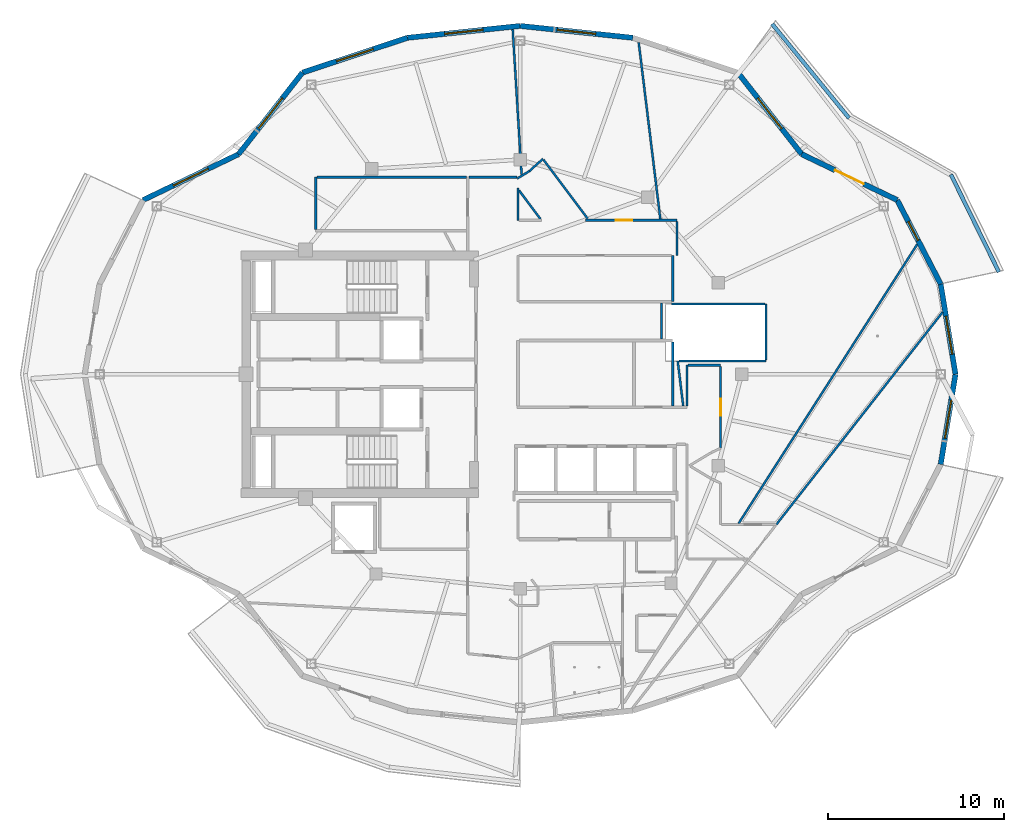
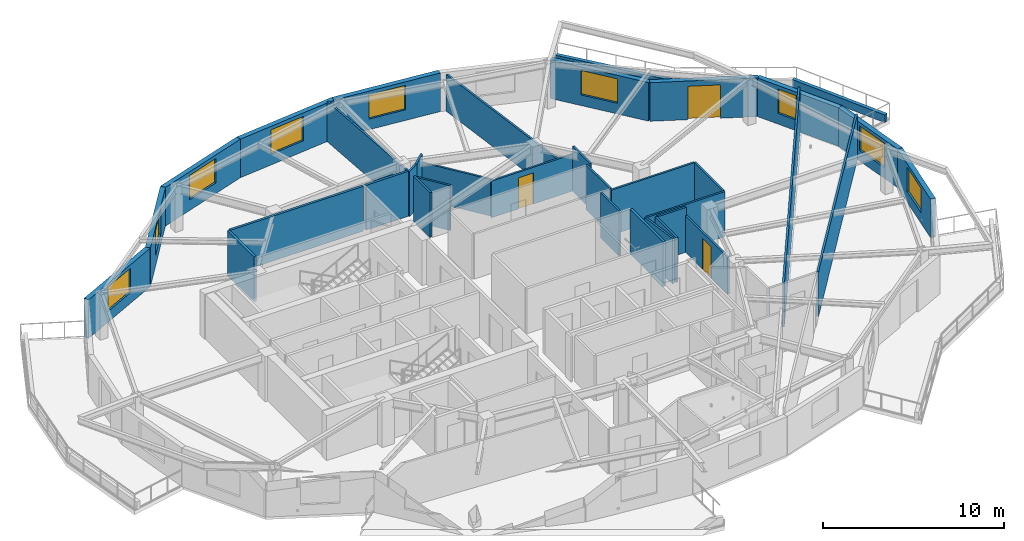
# One storey, part 6 of 14: 36 walls, 9 windows, 3 doors, 12 openings.
"""IFC4 building model written with IfcOpenShell, lengths in metres."""

from ifc_helpers import new_model, si_unit, direction, frame, frame_2d, origin, place, context, subcontext, project, spatial, rectangle, extrude, material, layer, layer_set, type_object, element, fill, save


model = new_model("IFC4")

# Units and contexts
model_context = context("Model", 3, precision=1e-05, world=origin(), true_north=direction((0.0, 1.0)))
body_context = subcontext(model_context, "Body", "Model", "MODEL_VIEW")
ifc_project = project(units=[si_unit("LENGTHUNIT", "METRE"), si_unit("AREAUNIT", "SQUARE_METRE"), si_unit("VOLUMEUNIT", "CUBIC_METRE"), si_unit("PLANEANGLEUNIT", "RADIAN"), si_unit("MASSUNIT", "GRAM", prefix="KILO")], contexts=[model_context])

# Site, building, storey
site_placement = place(None, origin())
site = spatial("IfcSite", under=ifc_project, at=site_placement, CompositionType="ELEMENT")
building_placement = place(site_placement, origin())
building = spatial("IfcBuilding", under=site, at=building_placement, Name="Kolvaren Gate Tower and Convention Centre", CompositionType="ELEMENT")
storey_placement = place(building_placement, frame((0.0, 0.0, 209.60009765625)))
storey = spatial("IfcBuildingStorey", under=building, at=storey_placement, Name="L55", CompositionType="ELEMENT", Elevation=209.60009765625)

# Walls
ifc_material_1 = material(Name="Fire-Rated Acoustic Gypsum Stud Partition", Category="gypsum")
ifc_layer_1 = layer(ifc_material_1, 0.1201171875)
ifc_layer_set_1 = layer_set([ifc_layer_1], Name="Fire-Rated Acoustic Gypsum Stud Partition")
wall_type_1 = type_object("IfcWallType", Name="ARCH-WL-PART-120", PredefinedType="PARTITIONING", material=ifc_layer_set_1)
wall_1_placement = place(storey_placement, frame((30.0, 35.75, 0.0), z_axis=(0.0, 0.0, 1.0), x_axis=(0.0, 1.0, 0.0)))
element("IfcWall", 1, at=wall_1_placement, inside=storey, type_object=wall_type_1, Name="Interior Partition WL-L55-INT-017", PredefinedType="PARTITIONING", context=body_context, shape_type="SweptSolid", body=[
    extrude(rectangle(XDim=1.8369140625, YDim=0.1201171875, at=frame_2d((0.91845703125, 0.0))), origin(), (0.0, 0.0, 1.0), 3.02978515625),
])
wall_2_placement = place(storey_placement, frame((38.800048828125, 31.1201171875, 0.0), z_axis=(0.0, 0.0, 1.0), x_axis=(0.0, 1.0, 0.0)))
element("IfcWall", 2, at=wall_2_placement, inside=storey, type_object=wall_type_1, Name="Interior Partition WL-L55-INT-022", PredefinedType="PARTITIONING", context=body_context, shape_type="SweptSolid", body=[
    extrude(rectangle(XDim=2.6298828125, YDim=0.1201171875, at=frame_2d((1.31494140625, 0.0))), origin(), (0.0, 0.0, 1.0), 3.02978515625),
])
wall_3_placement = place(storey_placement, frame((29.9599609375, 38.123046875, 0.0), z_axis=(0.0, 0.0, 1.0), x_axis=(0.852506956574, 0.522715877885, 0.0)))
element("IfcWall", 3, at=wall_3_placement, inside=storey, type_object=wall_type_1, Name="Interior Partition WL-L55-INT-031", PredefinedType="PARTITIONING", context=body_context, shape_type="SweptSolid", body=[
    extrude(rectangle(XDim=0.81884765625, YDim=0.1201171875, at=frame_2d((0.409423828125, 0.0))), origin(), (0.0, 0.0, 1.0), 3.02978515625),
])
wall_4_placement = place(storey_placement, frame((30.657958984375, 38.551025390625, 0.0), z_axis=(0.0, 0.0, 1.0), x_axis=(0.74084279818, 0.671678456097, 0.0)))
element("IfcWall", 4, at=wall_4_placement, inside=storey, type_object=wall_type_1, Name="Interior Partition WL-L55-INT-032", PredefinedType="PARTITIONING", context=body_context, shape_type="SweptSolid", body=[
    extrude(rectangle(XDim=1.027099609375, YDim=0.1201171875, at=frame_2d((0.513671875, 0.0))), origin(), (0.0, 0.0, 1.0), 3.02978515625),
])
wall_5_placement = place(storey_placement, frame((31.456298828125, 39.191162109375, 0.0), z_axis=(0.0, 0.0, 1.0), x_axis=(0.600056078533, -0.799957938029, 0.0)))
element("IfcWall", 5, at=wall_5_placement, inside=storey, type_object=wall_type_1, Name="Interior Partition WL-L55-INT-033", PredefinedType="PARTITIONING", context=body_context, shape_type="SweptSolid", body=[
    extrude(rectangle(XDim=4.17919921875, YDim=0.1201171875, at=frame_2d((2.089599609375, 0.0))), origin(), (0.0, 0.0, 1.0), 2.477783203125),
])

# Wall, opening, door
wall_6_placement = place(storey_placement, frame((33.8330078125, 35.75, 0.0), z_axis=(0.0, 0.0, 1.0), x_axis=(1.0, 0.0, 0.0)))
wall_6 = element("IfcWall", 6, at=wall_6_placement, inside=storey, type_object=wall_type_1, Name="Interior Partition WL-L55-INT-035", PredefinedType="PARTITIONING", context=body_context, shape_type="SweptSolid", body=[
    extrude(rectangle(XDim=5.217041015625, YDim=0.1201171875, at=frame_2d((2.6083984375, 0.0))), origin(), (0.0, 0.0, 1.0), 2.477783203125),
])
opening_1_placement = place(wall_6_placement, frame((1.726318359375, 0.0, 0.0)))
opening_1 = element("IfcOpeningElement", 7, at=opening_1_placement, cuts=wall_6, Name="Opening DR-01", PredefinedType="OPENING", context=body_context, shape_type="SweptSolid", body=[
    extrude(rectangle(XDim=0.949951171875, YDim=2.10009765625, at=frame_2d((0.47509765625, 1.050048828125))), frame((0.0, 0.070068359375, 0.0), z_axis=(0.0, -1.0, 0.0), x_axis=(1.0, 0.0, 0.0)), (0.0, 0.0, 1.0), 0.14013671875),
])
ifc_material_2 = material(Name="Painted Architectural Steelwork ASTM A500 Grade C 345 MPa", Category="steel")
door_type_1 = type_object("IfcDoorType", Name="ARCH-DR-RISER-950", OperationType="SINGLE_SWING_RIGHT", PredefinedType="DOOR", material=ifc_material_2)
door_1_placement = place(opening_1_placement, origin())
door_1 = element("IfcDoor", 8, at=door_1_placement, inside=storey, type_object=door_type_1, Name="Resident Quiet Study Office Door", OperationType="SINGLE_SWING_RIGHT", OverallHeight=2.10009765625, OverallWidth=0.949951171875, PredefinedType="DOOR", context=body_context, shape_type="SweptSolid", body=[
    extrude(rectangle(XDim=0.949951171875, YDim=2.10009765625, at=frame_2d((0.47509765625, 1.050048828125))), frame((0.0, 0.02490234375, 0.0), z_axis=(0.0, -1.0, 0.0), x_axis=(1.0, 0.0, 0.0)), (0.0, 0.0, 1.0), 0.050048828125),
])
fill(opening_1, door_1)

# Walls
wall_7_placement = place(storey_placement, frame((39.050048828125, 33.75, 0.0), z_axis=(0.0, 0.0, 1.0), x_axis=(0.0, 1.0, 0.0)))
element("IfcWall", 9, at=wall_7_placement, inside=storey, type_object=wall_type_1, Name="Interior Partition WL-L55-INT-037", PredefinedType="PARTITIONING", context=body_context, shape_type="SweptSolid", body=[
    extrude(rectangle(XDim=1.93798828125, YDim=0.1201171875, at=frame_2d((0.968994140625, 0.0))), origin(), (0.0, 0.0, 1.0), 3.02978515625),
])
wall_8_placement = place(storey_placement, frame((38.159912109375, 28.9970703125, 0.0), z_axis=(0.0, 0.0, 1.0), x_axis=(0.0, 1.0, 0.0)))
element("IfcWall", 10, at=wall_8_placement, inside=storey, type_object=wall_type_1, Name="Interior Partition WL-L55-INT-038", PredefinedType="PARTITIONING", context=body_context, shape_type="SweptSolid", body=[
    extrude(rectangle(XDim=2.06103515625, YDim=0.1201171875, at=frame_2d((1.030517578125, 0.0))), origin(), (0.0, 0.0, 1.0), 3.02978515625),
])
wall_9_placement = place(storey_placement, frame((39.60009765625, 25.197021484375, 0.0), z_axis=(0.0, 0.0, 1.0), x_axis=(0.0, 1.0, 0.0)))
element("IfcWall", 11, at=wall_9_placement, inside=storey, type_object=wall_type_1, Name="Interior Partition WL-L55-INT-040", PredefinedType="PARTITIONING", context=body_context, shape_type="SweptSolid", body=[
    extrude(rectangle(XDim=2.31298828125, YDim=0.1201171875, at=frame_2d((1.156494140625, 0.0))), origin(), (0.0, 0.0, 1.0), 3.02978515625),
])
wall_10_placement = place(storey_placement, frame((39.662109375, 27.510009765625, 0.0), z_axis=(0.0, 0.0, 1.0), x_axis=(1.0, 0.0, 0.0)))
element("IfcWall", 12, at=wall_10_placement, inside=storey, type_object=wall_type_1, Name="Interior Partition WL-L55-INT-041", PredefinedType="PARTITIONING", context=body_context, shape_type="SweptSolid", body=[
    extrude(rectangle(XDim=1.85791015625, YDim=0.1201171875, at=frame_2d((0.928955078125, 0.0))), origin(), (0.0, 0.0, 1.0), 3.02978515625),
])

# Wall, opening, door
wall_11_placement = place(storey_placement, frame((41.52001953125, 22.7939453125, 0.0), z_axis=(0.0, 0.0, 1.0), x_axis=(0.0, 1.0, 0.0)))
wall_11 = element("IfcWall", 13, at=wall_11_placement, inside=storey, type_object=wall_type_1, Name="Interior Partition WL-L55-INT-043", PredefinedType="PARTITIONING", context=body_context, shape_type="SweptSolid", body=[
    extrude(rectangle(XDim=4.654052734375, YDim=0.1201171875, at=frame_2d((2.3271484375, 0.0))), origin(), (0.0, 0.0, 1.0), 2.477783203125),
])
opening_2_placement = place(wall_11_placement, frame((1.85205078125, 0.0, 0.0)))
opening_2 = element("IfcOpeningElement", 14, at=opening_2_placement, cuts=wall_11, Name="Opening DR-01", PredefinedType="OPENING", context=body_context, shape_type="SweptSolid", body=[
    extrude(rectangle(XDim=0.949951171875, YDim=2.10009765625, at=frame_2d((0.47509765625, 1.050048828125))), frame((0.0, 0.070068359375, 0.0), z_axis=(0.0, -1.0, 0.0), x_axis=(1.0, 0.0, 0.0)), (0.0, 0.0, 1.0), 0.14013671875),
])
door_2_placement = place(opening_2_placement, origin())
door_2 = element("IfcDoor", 15, at=door_2_placement, inside=storey, type_object=door_type_1, Name="Resident Private Study and Home Office Door", OperationType="SINGLE_SWING_LEFT", OverallHeight=2.10009765625, OverallWidth=0.949951171875, PredefinedType="DOOR", context=body_context, shape_type="SweptSolid", body=[
    extrude(rectangle(XDim=0.949951171875, YDim=2.10009765625, at=frame_2d((0.47509765625, 1.050048828125))), frame((0.0, 0.02490234375, 0.0), z_axis=(0.0, -1.0, 0.0), x_axis=(1.0, 0.0, 0.0)), (0.0, 0.0, 1.0), 0.050048828125),
])
fill(opening_2, door_2)

# Walls
wall_12_placement = place(storey_placement, frame((44.68701171875, 18.453857421875, 0.0), z_axis=(0.0, 0.0, 1.0), x_axis=(0.616533198311, 0.787328911815, 0.0)))
element("IfcWall", 16, at=wall_12_placement, inside=storey, type_object=wall_type_1, Name="Interior Partition WL-L55-INT-049 (2)", PredefinedType="PARTITIONING", context=body_context, shape_type="SweptSolid", body=[
    extrude(rectangle(XDim=15.33349609375, YDim=0.1201171875, at=frame_2d((7.666748046875, 0.0))), origin(), (0.0, 0.0, 1.0), 3.02978515625),
])
wall_13_placement = place(storey_placement, frame((30.06201171875, 37.450927734375, 0.0), z_axis=(0.0, 0.0, 1.0), x_axis=(0.599790195836, -0.800157310145, 0.0)))
element("IfcWall", 17, at=wall_13_placement, inside=storey, type_object=wall_type_1, Name="Interior Partition WL-L55-INT-058", PredefinedType="PARTITIONING", context=body_context, shape_type="SweptSolid", body=[
    extrude(rectangle(XDim=2.04833984375, YDim=0.1201171875, at=frame_2d((1.024169921875, 0.0))), origin(), (0.0, 0.0, 1.0), 3.02978515625),
])
wall_14_placement = place(storey_placement, frame((29.702392578125, 46.6025390625, 0.0), z_axis=(0.0, 0.0, 1.0), x_axis=(0.06113767321, -0.998129342778, 0.0)))
element("IfcWall", 18, at=wall_14_placement, inside=storey, type_object=wall_type_1, Name="Interior Partition WL-L55-INT-064", PredefinedType="PARTITIONING", context=body_context, shape_type="SweptSolid", body=[
    extrude(rectangle(XDim=8.27001953125, YDim=0.1201171875, at=frame_2d((4.135009765625, 0.0))), origin(), (0.0, 0.0, 1.0), 2.7119140625),
])
wall_15_placement = place(storey_placement, frame((42.54248046875, 18.511962890625, 0.0), z_axis=(0.0, 0.0, 1.0), x_axis=(0.538988222434, 0.842313300428, 0.0)))
element("IfcWall", 19, at=wall_15_placement, inside=storey, type_object=wall_type_1, Name="Interior Partition WL-L55-INT-071", PredefinedType="PARTITIONING", context=body_context, shape_type="SweptSolid", body=[
    extrude(rectangle(XDim=18.8349609375, YDim=0.1201171875, at=frame_2d((9.41748046875, 0.0))), origin(), (0.0, 0.0, 1.0), 3.02978515625),
])
wall_16_placement = place(storey_placement, frame((36.866455078125, 45.85400390625, 0.0), z_axis=(0.0, 0.0, 1.0), x_axis=(0.12152760456, -0.99258805218, 0.0)))
element("IfcWall", 20, at=wall_16_placement, inside=storey, type_object=wall_type_1, Name="Interior Partition WL-L55-INT-074", PredefinedType="PARTITIONING", context=body_context, shape_type="SweptSolid", body=[
    extrude(rectangle(XDim=10.116943359375, YDim=0.1201171875, at=frame_2d((5.05859375, 0.0))), origin(), (0.0, 0.0, 1.0), 2.477783203125),
])
wall_17_placement = place(storey_placement, frame((39.0830078125, 27.75, 0.0), z_axis=(0.0, 0.0, 1.0), x_axis=(0.121499202199, -0.992591529213, 0.0)))
element("IfcWall", 21, at=wall_17_placement, inside=storey, type_object=wall_type_1, Name="Interior Partition WL-L55-INT-075", PredefinedType="PARTITIONING", context=body_context, shape_type="SweptSolid", body=[
    extrude(rectangle(XDim=2.572021484375, YDim=0.1201171875, at=frame_2d((1.2861328125, 0.0))), origin(), (0.0, 0.0, 1.0), 3.02978515625),
])
wall_18_placement = place(storey_placement, frame((39.1455078125, 27.75, 0.0), z_axis=(0.0, 0.0, 1.0), x_axis=(1.0, 0.0, 0.0)))
element("IfcWall", 22, at=wall_18_placement, inside=storey, type_object=wall_type_1, Name="Interior Partition WL-L55-INT-076", PredefinedType="PARTITIONING", context=body_context, shape_type="SweptSolid", body=[
    extrude(rectangle(XDim=4.95458984375, YDim=0.1201171875, at=frame_2d((2.477294921875, 0.0))), origin(), (0.0, 0.0, 1.0), 3.02978515625),
])
wall_19_placement = place(storey_placement, frame((44.10009765625, 27.81201171875, 0.0), z_axis=(0.0, 0.0, 1.0), x_axis=(0.0, 1.0, 0.0)))
element("IfcWall", 23, at=wall_19_placement, inside=storey, type_object=wall_type_1, Name="Interior Partition WL-L55-INT-077", PredefinedType="PARTITIONING", context=body_context, shape_type="SweptSolid", body=[
    extrude(rectangle(XDim=3.18798828125, YDim=0.1201171875, at=frame_2d((1.593994140625, 0.0))), origin(), (0.0, 0.0, 1.0), 3.02978515625),
])
wall_20_placement = place(storey_placement, frame((38.738037109375, 31.0, 0.0), z_axis=(0.0, 0.0, 1.0), x_axis=(1.0, 0.0, 0.0)))
element("IfcWall", 24, at=wall_20_placement, inside=storey, type_object=wall_type_1, Name="Interior Partition WL-L55-INT-078", PredefinedType="PARTITIONING", context=body_context, shape_type="SweptSolid", body=[
    extrude(rectangle(XDim=5.300048828125, YDim=0.1201171875, at=frame_2d((2.64990234375, 0.0))), origin(), (0.0, 0.0, 1.0), 3.02978515625),
])
ifc_material_3 = material(Name="Piedmont Cream Honed Limestone Cladding", Category="masonry")
ifc_layer_2 = layer(ifc_material_3, 0.219970703125)
ifc_layer_set_2 = layer_set([ifc_layer_2], Name="Piedmont Cream Honed Limestone Cladding")
wall_type_2 = type_object("IfcWallType", Name="ARCH-WL-PLANTER-220", PredefinedType="PARAPET", material=ifc_layer_set_2)
wall_21_placement = place(storey_placement, frame((54.615966796875, 38.3466796875, 0.0), z_axis=(0.0, 0.0, 1.0), x_axis=(0.441640961804, -0.897191875162, 0.0)))
element("IfcWall", 25, at=wall_21_placement, inside=storey, type_object=wall_type_2, Name="Vertical-Forest Balcony Stone Planter Kerb PK-L55-1.1", PredefinedType="PARAPET", context=body_context, shape_type="SweptSolid", body=[
    extrude(rectangle(XDim=6.17822265625, YDim=0.219970703125, at=frame_2d((3.089111328125, 0.0))), origin(), (0.0, 0.0, 1.0), 0.52001953125),
])
wall_22_placement = place(storey_placement, frame((44.4482421875, 46.912841796875, 0.0), z_axis=(0.0, 0.0, 1.0), x_axis=(0.632697312147, -0.774399193699, 0.0)))
element("IfcWall", 26, at=wall_22_placement, inside=storey, type_object=wall_type_2, Name="Vertical-Forest Balcony Stone Planter Kerb PK-L55-1.3", PredefinedType="PARAPET", context=body_context, shape_type="SweptSolid", body=[
    extrude(rectangle(XDim=6.9140625, YDim=0.219970703125, at=frame_2d((3.45703125, 0.0))), origin(), (0.0, 0.0, 1.0), 0.52001953125),
])

# Wall, opening, window
ifc_layer_3 = layer(ifc_material_3, 0.300048828125)
ifc_layer_set_3 = layer_set([ifc_layer_3], Name="Piedmont Cream Honed Limestone Cladding")
wall_type_3 = type_object("IfcWallType", Name="ARCH-WL-STONE-300", PredefinedType="SOLIDWALL", material=ifc_layer_set_3)
wall_23_placement = place(storey_placement, frame((54.03173828125, 32.12451171875, 0.0), z_axis=(0.0, 0.0, 1.0), x_axis=(0.16237087798, -0.986729799886, 0.0)))
wall_23 = element("IfcWall", 27, at=wall_23_placement, inside=storey, type_object=wall_type_3, Name="Tower L55 Honed Stone Spandrel Wall EW-00", PredefinedType="SOLIDWALL", context=body_context, shape_type="SweptSolid", body=[
    extrude(rectangle(XDim=5.193359375, YDim=0.300048828125, at=frame_2d((2.5966796875, 0.0))), origin(), (0.0, 0.0, 1.0), 2.60498046875),
])
opening_3_placement = place(wall_23_placement, frame((1.85009765625, 0.0, 0.719970703125)))
opening_3 = element("IfcOpeningElement", 28, at=opening_3_placement, cuts=wall_23, Name="Opening W-03", PredefinedType="OPENING", context=body_context, shape_type="SweptSolid", body=[
    extrude(rectangle(XDim=2.199951171875, YDim=1.64990234375, at=frame_2d((1.10009765625, 0.824951171875))), frame((0.0, 0.159912109375, 0.0), z_axis=(0.0, -1.0, 0.0), x_axis=(1.0, 0.0, 0.0)), (0.0, 0.0, 1.0), 0.320068359375),
])
ifc_material_4 = material(Name="Low-E Triple Insulated Glazing Unit 44 mm", Category="glass")
window_type_1 = type_object("IfcWindowType", Name="ARCH-WN-RES-2200", PartitioningType="SINGLE_PANEL", PredefinedType="WINDOW", material=ifc_material_4)
window_1_placement = place(opening_3_placement, origin())
window_1 = element("IfcWindow", 29, at=window_1_placement, inside=storey, type_object=window_type_1, Name="Tower L55 Punched Stone Facade Window W-00", OverallHeight=1.64990234375, OverallWidth=2.199951171875, PartitioningType="SINGLE_PANEL", PredefinedType="WINDOW", context=body_context, shape_type="SweptSolid", body=[
    extrude(rectangle(XDim=2.199951171875, YDim=1.64990234375, at=frame_2d((1.10009765625, 0.824951171875))), frame((0.0, 0.030029296875, 0.0), z_axis=(0.0, -1.0, 0.0), x_axis=(1.0, 0.0, 0.0)), (0.0, 0.0, 1.0), 0.06005859375),
])
fill(opening_3, window_1)

wall_24_placement = place(storey_placement, frame((51.55908203125, 36.89990234375, 0.0), z_axis=(0.0, 0.0, 1.0), x_axis=(0.459808219482, -0.888018243786, 0.0)))
wall_24 = element("IfcWall", 30, at=wall_24_placement, inside=storey, type_object=wall_type_3, Name="Tower L55 Honed Stone Spandrel Wall EW-01", PredefinedType="SOLIDWALL", context=body_context, shape_type="SweptSolid", body=[
    extrude(rectangle(XDim=5.377685546875, YDim=0.300048828125, at=frame_2d((2.68896484375, 0.0))), origin(), (0.0, 0.0, 1.0), 2.60498046875),
])
opening_4_placement = place(wall_24_placement, frame((1.3798828125, 0.0, 0.719970703125)))
opening_4 = element("IfcOpeningElement", 31, at=opening_4_placement, cuts=wall_24, Name="Opening W-04", PredefinedType="OPENING", context=body_context, shape_type="SweptSolid", body=[
    extrude(rectangle(XDim=1.199951171875, YDim=1.64990234375, at=frame_2d((0.60009765625, 0.824951171875))), frame((0.0, 0.159912109375, 0.0), z_axis=(0.0, -1.0, 0.0), x_axis=(1.0, 0.0, 0.0)), (0.0, 0.0, 1.0), 0.320068359375),
])
window_type_2 = type_object("IfcWindowType", Name="ARCH-WN-NARROW-1200", PartitioningType="SINGLE_PANEL", PredefinedType="WINDOW", material=ifc_material_4)
window_2_placement = place(opening_4_placement, origin())
window_2 = element("IfcWindow", 32, at=window_2_placement, inside=storey, type_object=window_type_2, Name="Tower L55 Punched Stone Facade Window W-01", OverallHeight=1.64990234375, OverallWidth=1.199951171875, PartitioningType="SINGLE_PANEL", PredefinedType="WINDOW", context=body_context, shape_type="SweptSolid", body=[
    extrude(rectangle(XDim=1.199951171875, YDim=1.64990234375, at=frame_2d((0.60009765625, 0.824951171875))), frame((0.0, 0.030029296875, 0.0), z_axis=(0.0, -1.0, 0.0), x_axis=(1.0, 0.0, 0.0)), (0.0, 0.0, 1.0), 0.06005859375),
])
fill(opening_4, window_2)

# Wall, opening, door
wall_25_placement = place(storey_placement, frame((46.132568359375, 39.50732421875, 0.0), z_axis=(0.0, 0.0, 1.0), x_axis=(0.901348331142, -0.433094892545, 0.0)))
wall_25 = element("IfcWall", 33, at=wall_25_placement, inside=storey, type_object=wall_type_3, Name="Tower L55 Honed Stone Spandrel Wall EW-02", PredefinedType="SOLIDWALL", context=body_context, shape_type="SweptSolid", body=[
    extrude(rectangle(XDim=6.0205078125, YDim=0.300048828125, at=frame_2d((3.01025390625, 0.0))), origin(), (0.0, 0.0, 1.0), 2.60498046875),
])
opening_5_placement = place(wall_25_placement, frame((2.110107421875, 0.0, 0.0)))
opening_5 = element("IfcOpeningElement", 34, at=opening_5_placement, cuts=wall_25, Name="Opening DB-01", PredefinedType="OPENING", context=body_context, shape_type="SweptSolid", body=[
    extrude(rectangle(XDim=1.800048828125, YDim=2.25, at=frame_2d((0.89990234375, 1.125))), frame((0.0, 0.159912109375, 0.0), z_axis=(0.0, -1.0, 0.0), x_axis=(1.0, 0.0, 0.0)), (0.0, 0.0, 1.0), 0.320068359375),
])
ifc_material_5 = material(Name="Anodized Architectural Aluminium Alloy 6063-T6", Category="aluminium")
door_type_2 = type_object("IfcDoorType", Name="ARCH-DR-BALC-1800", OperationType="SLIDING_TO_LEFT", PredefinedType="DOOR", material=ifc_material_5)
door_3_placement = place(opening_5_placement, origin())
door_3 = element("IfcDoor", 35, at=door_3_placement, inside=storey, type_object=door_type_2, Name="Planted Sky Terrace Access Door DB-L55-02", OperationType="SLIDING_TO_LEFT", OverallHeight=2.25, OverallWidth=1.800048828125, PredefinedType="DOOR", context=body_context, shape_type="SweptSolid", body=[
    extrude(rectangle(XDim=1.800048828125, YDim=2.25, at=frame_2d((0.89990234375, 1.125))), frame((0.0, 0.02490234375, 0.0), z_axis=(0.0, -1.0, 0.0), x_axis=(1.0, 0.0, 0.0)), (0.0, 0.0, 1.0), 0.050048828125),
])
fill(opening_5, door_3)

# Wall, opening, window
wall_26_placement = place(storey_placement, frame((42.5, 44.147216796875, 0.0), z_axis=(0.0, 0.0, 1.0), x_axis=(0.616450126935, -0.787393955401, 0.0)))
wall_26 = element("IfcWall", 36, at=wall_26_placement, inside=storey, type_object=wall_type_3, Name="Tower L55 Honed Stone Spandrel Wall EW-03", PredefinedType="SOLIDWALL", context=body_context, shape_type="SweptSolid", body=[
    extrude(rectangle(XDim=5.892822265625, YDim=0.300048828125, at=frame_2d((2.9462890625, 0.0))), origin(), (0.0, 0.0, 1.0), 2.60498046875),
])
opening_6_placement = place(wall_26_placement, frame((1.845947265625, 0.0, 0.719970703125)))
opening_6 = element("IfcOpeningElement", 37, at=opening_6_placement, cuts=wall_26, Name="Opening W-03", PredefinedType="OPENING", context=body_context, shape_type="SweptSolid", body=[
    extrude(rectangle(XDim=2.199951171875, YDim=1.64990234375, at=frame_2d((1.10009765625, 0.824951171875))), frame((0.0, 0.159912109375, 0.0), z_axis=(0.0, -1.0, 0.0), x_axis=(1.0, 0.0, 0.0)), (0.0, 0.0, 1.0), 0.320068359375),
])
window_3_placement = place(opening_6_placement, origin())
window_3 = element("IfcWindow", 38, at=window_3_placement, inside=storey, type_object=window_type_1, Name="Tower L55 Punched Stone Facade Window W-03", OverallHeight=1.64990234375, OverallWidth=2.199951171875, PartitioningType="SINGLE_PANEL", PredefinedType="WINDOW", context=body_context, shape_type="SweptSolid", body=[
    extrude(rectangle(XDim=2.199951171875, YDim=1.64990234375, at=frame_2d((1.10009765625, 0.824951171875))), frame((0.0, 0.030029296875, 0.0), z_axis=(0.0, -1.0, 0.0), x_axis=(1.0, 0.0, 0.0)), (0.0, 0.0, 1.0), 0.06005859375),
])
fill(opening_6, window_3)

wall_27_placement = place(storey_placement, frame((30.125, 46.800048828125, 0.0), z_axis=(0.0, 0.0, 1.0), x_axis=(0.994497142298, -0.104763705363, 0.0)))
wall_27 = element("IfcWall", 39, at=wall_27_placement, inside=storey, type_object=wall_type_3, Name="Tower L55 Honed Stone Spandrel Wall EW-05", PredefinedType="SOLIDWALL", context=body_context, shape_type="SweptSolid", body=[
    extrude(rectangle(XDim=6.441162109375, YDim=0.300048828125, at=frame_2d((3.220703125, 0.0))), origin(), (0.0, 0.0, 1.0), 2.60498046875),
])
opening_7_placement = place(wall_27_placement, frame((2.12109375, 0.0, 0.719970703125)))
opening_7 = element("IfcOpeningElement", 40, at=opening_7_placement, cuts=wall_27, Name="Opening W-03", PredefinedType="OPENING", context=body_context, shape_type="SweptSolid", body=[
    extrude(rectangle(XDim=2.199951171875, YDim=1.64990234375, at=frame_2d((1.10009765625, 0.824951171875))), frame((0.0, 0.159912109375, 0.0), z_axis=(0.0, -1.0, 0.0), x_axis=(1.0, 0.0, 0.0)), (0.0, 0.0, 1.0), 0.320068359375),
])
window_4_placement = place(opening_7_placement, origin())
window_4 = element("IfcWindow", 41, at=window_4_placement, inside=storey, type_object=window_type_1, Name="Tower L55 Punched Stone Facade Window W-05", OverallHeight=1.64990234375, OverallWidth=2.199951171875, PartitioningType="SINGLE_PANEL", PredefinedType="WINDOW", context=body_context, shape_type="SweptSolid", body=[
    extrude(rectangle(XDim=2.199951171875, YDim=1.64990234375, at=frame_2d((1.10009765625, 0.824951171875))), frame((0.0, 0.030029296875, 0.0), z_axis=(0.0, -1.0, 0.0), x_axis=(1.0, 0.0, 0.0)), (0.0, 0.0, 1.0), 0.06005859375),
])
fill(opening_7, window_4)

wall_28_placement = place(storey_placement, frame((23.71923828125, 46.125244140625, 0.0), z_axis=(0.0, 0.0, 1.0), x_axis=(0.994497142298, 0.104763705363, 0.0)))
wall_28 = element("IfcWall", 42, at=wall_28_placement, inside=storey, type_object=wall_type_3, Name="Tower L55 Honed Stone Spandrel Wall EW-06", PredefinedType="SOLIDWALL", context=body_context, shape_type="SweptSolid", body=[
    extrude(rectangle(XDim=6.441162109375, YDim=0.300048828125, at=frame_2d((3.220703125, 0.0))), origin(), (0.0, 0.0, 1.0), 2.60498046875),
])
opening_8_placement = place(wall_28_placement, frame((2.12109375, 0.0, 0.719970703125)))
opening_8 = element("IfcOpeningElement", 43, at=opening_8_placement, cuts=wall_28, Name="Opening W-03", PredefinedType="OPENING", context=body_context, shape_type="SweptSolid", body=[
    extrude(rectangle(XDim=2.199951171875, YDim=1.64990234375, at=frame_2d((1.10009765625, 0.824951171875))), frame((0.0, 0.159912109375, 0.0), z_axis=(0.0, -1.0, 0.0), x_axis=(1.0, 0.0, 0.0)), (0.0, 0.0, 1.0), 0.320068359375),
])
window_5_placement = place(opening_8_placement, origin())
window_5 = element("IfcWindow", 44, at=window_5_placement, inside=storey, type_object=window_type_1, Name="Tower L55 Punched Stone Facade Window W-06", OverallHeight=1.64990234375, OverallWidth=2.199951171875, PartitioningType="SINGLE_PANEL", PredefinedType="WINDOW", context=body_context, shape_type="SweptSolid", body=[
    extrude(rectangle(XDim=2.199951171875, YDim=1.64990234375, at=frame_2d((1.10009765625, 0.824951171875))), frame((0.0, 0.030029296875, 0.0), z_axis=(0.0, -1.0, 0.0), x_axis=(1.0, 0.0, 0.0)), (0.0, 0.0, 1.0), 0.06005859375),
])
fill(opening_8, window_5)

wall_29_placement = place(storey_placement, frame((17.75, 44.147216796875, 0.0), z_axis=(0.0, 0.0, 1.0), x_axis=(0.949240877604, 0.314550085495, 0.0)))
wall_29 = element("IfcWall", 45, at=wall_29_placement, inside=storey, type_object=wall_type_3, Name="Tower L55 Honed Stone Spandrel Wall EW-07", PredefinedType="SOLIDWALL", context=body_context, shape_type="SweptSolid", body=[
    extrude(rectangle(XDim=6.288330078125, YDim=0.300048828125, at=frame_2d((3.14404296875, 0.0))), origin(), (0.0, 0.0, 1.0), 2.60498046875),
])
opening_9_placement = place(wall_29_placement, frame((2.0439453125, 0.0, 0.719970703125)))
opening_9 = element("IfcOpeningElement", 46, at=opening_9_placement, cuts=wall_29, Name="Opening W-03", PredefinedType="OPENING", context=body_context, shape_type="SweptSolid", body=[
    extrude(rectangle(XDim=2.199951171875, YDim=1.64990234375, at=frame_2d((1.10009765625, 0.824951171875))), frame((0.0, 0.159912109375, 0.0), z_axis=(0.0, -1.0, 0.0), x_axis=(1.0, 0.0, 0.0)), (0.0, 0.0, 1.0), 0.320068359375),
])
window_6_placement = place(opening_9_placement, origin())
window_6 = element("IfcWindow", 47, at=window_6_placement, inside=storey, type_object=window_type_1, Name="Tower L55 Punched Stone Facade Window W-07", OverallHeight=1.64990234375, OverallWidth=2.199951171875, PartitioningType="SINGLE_PANEL", PredefinedType="WINDOW", context=body_context, shape_type="SweptSolid", body=[
    extrude(rectangle(XDim=2.199951171875, YDim=1.64990234375, at=frame_2d((1.10009765625, 0.824951171875))), frame((0.0, 0.030029296875, 0.0), z_axis=(0.0, -1.0, 0.0), x_axis=(1.0, 0.0, 0.0)), (0.0, 0.0, 1.0), 0.06005859375),
])
fill(opening_9, window_6)

wall_30_placement = place(storey_placement, frame((14.117431640625, 39.50732421875, 0.0), z_axis=(0.0, 0.0, 1.0), x_axis=(0.616450126935, 0.787393955401, 0.0)))
wall_30 = element("IfcWall", 48, at=wall_30_placement, inside=storey, type_object=wall_type_3, Name="Tower L55 Honed Stone Spandrel Wall EW-08", PredefinedType="SOLIDWALL", context=body_context, shape_type="SweptSolid", body=[
    extrude(rectangle(XDim=5.892822265625, YDim=0.300048828125, at=frame_2d((2.9462890625, 0.0))), origin(), (0.0, 0.0, 1.0), 2.60498046875),
])
opening_10_placement = place(wall_30_placement, frame((1.845947265625, 0.0, 0.719970703125)))
opening_10 = element("IfcOpeningElement", 49, at=opening_10_placement, cuts=wall_30, Name="Opening W-03", PredefinedType="OPENING", context=body_context, shape_type="SweptSolid", body=[
    extrude(rectangle(XDim=2.199951171875, YDim=1.64990234375, at=frame_2d((1.10009765625, 0.824951171875))), frame((0.0, 0.159912109375, 0.0), z_axis=(0.0, -1.0, 0.0), x_axis=(1.0, 0.0, 0.0)), (0.0, 0.0, 1.0), 0.320068359375),
])
window_7_placement = place(opening_10_placement, origin())
window_7 = element("IfcWindow", 50, at=window_7_placement, inside=storey, type_object=window_type_1, Name="Tower L55 Punched Stone Facade Window W-08", OverallHeight=1.64990234375, OverallWidth=2.199951171875, PartitioningType="SINGLE_PANEL", PredefinedType="WINDOW", context=body_context, shape_type="SweptSolid", body=[
    extrude(rectangle(XDim=2.199951171875, YDim=1.64990234375, at=frame_2d((1.10009765625, 0.824951171875))), frame((0.0, 0.030029296875, 0.0), z_axis=(0.0, -1.0, 0.0), x_axis=(1.0, 0.0, 0.0)), (0.0, 0.0, 1.0), 0.06005859375),
])
fill(opening_10, window_7)

wall_31_placement = place(storey_placement, frame((8.69091796875, 36.89990234375, 0.0), z_axis=(0.0, 0.0, 1.0), x_axis=(0.901348331142, 0.433094892545, 0.0)))
wall_31 = element("IfcWall", 51, at=wall_31_placement, inside=storey, type_object=wall_type_3, Name="Tower L55 Honed Stone Spandrel Wall EW-09", PredefinedType="SOLIDWALL", context=body_context, shape_type="SweptSolid", body=[
    extrude(rectangle(XDim=6.0205078125, YDim=0.300048828125, at=frame_2d((3.01025390625, 0.0))), origin(), (0.0, 0.0, 1.0), 2.60498046875),
])
opening_11_placement = place(wall_31_placement, frame((1.909912109375, 0.0, 0.719970703125)))
opening_11 = element("IfcOpeningElement", 52, at=opening_11_placement, cuts=wall_31, Name="Opening W-03", PredefinedType="OPENING", context=body_context, shape_type="SweptSolid", body=[
    extrude(rectangle(XDim=2.199951171875, YDim=1.64990234375, at=frame_2d((1.10009765625, 0.824951171875))), frame((0.0, 0.159912109375, 0.0), z_axis=(0.0, -1.0, 0.0), x_axis=(1.0, 0.0, 0.0)), (0.0, 0.0, 1.0), 0.320068359375),
])
window_8_placement = place(opening_11_placement, origin())
window_8 = element("IfcWindow", 53, at=window_8_placement, inside=storey, type_object=window_type_1, Name="Tower L55 Punched Stone Facade Window W-09", OverallHeight=1.64990234375, OverallWidth=2.199951171875, PartitioningType="SINGLE_PANEL", PredefinedType="WINDOW", context=body_context, shape_type="SweptSolid", body=[
    extrude(rectangle(XDim=2.199951171875, YDim=1.64990234375, at=frame_2d((1.10009765625, 0.824951171875))), frame((0.0, 0.030029296875, 0.0), z_axis=(0.0, -1.0, 0.0), x_axis=(1.0, 0.0, 0.0)), (0.0, 0.0, 1.0), 0.06005859375),
])
fill(opening_11, window_8)

wall_32_placement = place(storey_placement, frame((54.03173828125, 21.87548828125, 0.0), z_axis=(0.0, 0.0, 1.0), x_axis=(0.16237087798, 0.986729799886, 0.0)))
wall_32 = element("IfcWall", 54, at=wall_32_placement, inside=storey, type_object=wall_type_3, Name="Tower L55 Honed Stone Spandrel Wall EW-23", PredefinedType="SOLIDWALL", context=body_context, shape_type="SweptSolid", body=[
    extrude(rectangle(XDim=5.193359375, YDim=0.300048828125, at=frame_2d((2.5966796875, 0.0))), origin(), (0.0, 0.0, 1.0), 2.60498046875),
])
opening_12_placement = place(wall_32_placement, frame((1.4970703125, 0.0, 0.719970703125)))
opening_12 = element("IfcOpeningElement", 55, at=opening_12_placement, cuts=wall_32, Name="Opening W-03", PredefinedType="OPENING", context=body_context, shape_type="SweptSolid", body=[
    extrude(rectangle(XDim=2.199951171875, YDim=1.64990234375, at=frame_2d((1.10009765625, 0.824951171875))), frame((0.0, 0.159912109375, 0.0), z_axis=(0.0, -1.0, 0.0), x_axis=(1.0, 0.0, 0.0)), (0.0, 0.0, 1.0), 0.320068359375),
])
window_9_placement = place(opening_12_placement, origin())
window_9 = element("IfcWindow", 56, at=window_9_placement, inside=storey, type_object=window_type_1, Name="Tower L55 Punched Stone Facade Window W-23", OverallHeight=1.64990234375, OverallWidth=2.199951171875, PartitioningType="SINGLE_PANEL", PredefinedType="WINDOW", context=body_context, shape_type="SweptSolid", body=[
    extrude(rectangle(XDim=2.199951171875, YDim=1.64990234375, at=frame_2d((1.10009765625, 0.824951171875))), frame((0.0, 0.030029296875, 0.0), z_axis=(0.0, -1.0, 0.0), x_axis=(1.0, 0.0, 0.0)), (0.0, 0.0, 1.0), 0.06005859375),
])
fill(opening_12, window_9)

# Walls
ifc_material_6 = material(Name="Moisture-Resistant Cement-Board Acoustic Partition", Category="gypsum")
ifc_layer_4 = layer(ifc_material_6, 0.14990234375)
ifc_layer_set_4 = layer_set([ifc_layer_4], Name="Moisture-Resistant Cement-Board Acoustic Partition")
wall_type_4 = type_object("IfcWallType", Name="ARCH-WL-WET-150", PredefinedType="PARTITIONING", material=ifc_layer_set_4)
wall_33_placement = place(storey_placement, frame((38.800048828125, 25.197021484375, 0.0), z_axis=(0.0, 0.0, 1.0), x_axis=(0.0, 1.0, 0.0)))
element("IfcWall", 57, at=wall_33_placement, inside=storey, type_object=wall_type_4, Name="Interior Partition WL-L55-INT-021", PredefinedType="PARTITIONING", context=body_context, shape_type="SweptSolid", body=[
    extrude(rectangle(XDim=3.64599609375, YDim=0.14990234375, at=frame_2d((1.822998046875, 0.0))), origin(), (0.0, 0.0, 1.0), 3.02978515625),
])
wall_34_placement = place(storey_placement, frame((18.5, 35.237060546875, 0.0), z_axis=(0.0, 0.0, 1.0), x_axis=(0.0, 1.0, 0.0)))
element("IfcWall", 58, at=wall_34_placement, inside=storey, type_object=wall_type_4, Name="Interior Partition WL-L55-INT-029", PredefinedType="PARTITIONING", context=body_context, shape_type="SweptSolid", body=[
    extrude(rectangle(XDim=2.962890625, YDim=0.14990234375, at=frame_2d((1.4814453125, 0.0))), origin(), (0.0, 0.0, 1.0), 3.02978515625),
])
wall_35_placement = place(storey_placement, frame((18.576904296875, 38.199951171875, 0.0), z_axis=(0.0, 0.0, 1.0), x_axis=(1.0, 0.0, 0.0)))
element("IfcWall", 59, at=wall_35_placement, inside=storey, type_object=wall_type_4, Name="Interior Partition WL-L55-INT-030", PredefinedType="PARTITIONING", context=body_context, shape_type="SweptSolid", body=[
    extrude(rectangle(XDim=8.49609375, YDim=0.14990234375, at=frame_2d((4.248046875, 0.0))), origin(), (0.0, 0.0, 1.0), 3.02978515625),
])
wall_36_placement = place(storey_placement, frame((27.22705078125, 38.199951171875, 0.0), z_axis=(0.0, 0.0, 1.0), x_axis=(1.0, 0.0, 0.0)))
element("IfcWall", 60, at=wall_36_placement, inside=storey, type_object=wall_type_4, Name="Interior Partition WL-L55-INT-030 (2)", PredefinedType="PARTITIONING", context=body_context, shape_type="SweptSolid", body=[
    extrude(rectangle(XDim=2.73291015625, YDim=0.14990234375, at=frame_2d((1.366455078125, 0.0))), origin(), (0.0, 0.0, 1.0), 3.02978515625),
])

save(model, "model.ifc")
